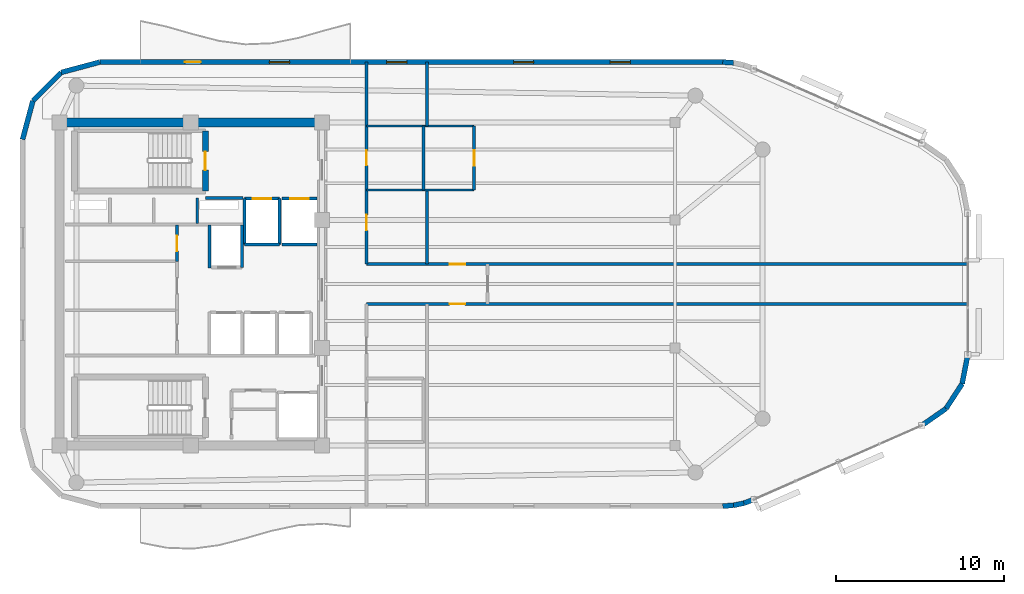
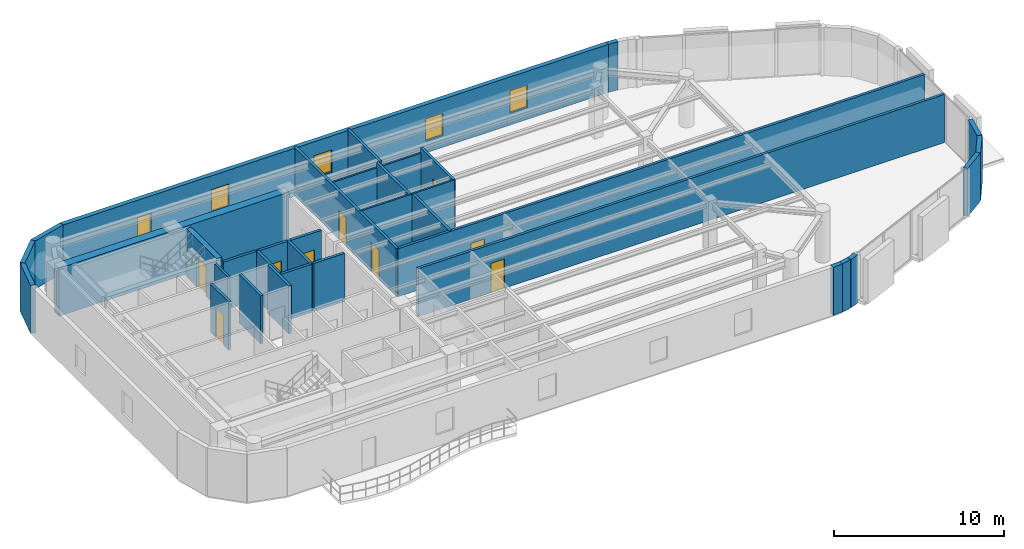
# One storey, part 9 of 12: 33 walls, 10 doors, 4 windows, 14 openings.
"""IFC4 building model written with IfcOpenShell, lengths in metres."""

import ifcopenshell
import ifcopenshell.guid

model = None  # the IFC model being written
_history = None  # IfcOwnerHistory: only IFC2X3 demands one
_inside = {}  # id of a spatial element -> (the spatial element, [elements in it])
_under = {}  # id of a project, library or spatial element -> (it, [spatial elements below it])
_declared = {}  # id of a project -> (the project, [libraries it declares])
_typed = {}  # id of a type object -> (the type object, [elements of that type])
_made_of = {}  # id of a material, layer set ... -> (it, [elements and type objects made of it])


def new_model(schema):
    """Start an empty IFC model of exactly this schema.

    Asked for "IFC4X3", IfcOpenShell would pick the latest addendum, in which some entities
    have other attributes; the version numbers below select the first issue.
    IFC2X3 requires an IfcOwnerHistory on every rooted entity: one is made here for all.
    """
    global model, _history
    if schema == "IFC4X3":
        model = ifcopenshell.file(schema_version=(4, 3, 0, 0))
    else:
        model = ifcopenshell.file(schema=schema)
    _inside.clear()
    _under.clear()
    _declared.clear()
    _typed.clear()
    _made_of.clear()
    _history = None
    if model.schema == "IFC2X3":
        org = make("IfcOrganization", Name="unknown")
        user = make(
            "IfcPersonAndOrganization",
            ThePerson=make("IfcPerson", FamilyName="unknown"),
            TheOrganization=org,
        )
        app = make(
            "IfcApplication",
            ApplicationDeveloper=org,
            Version="unknown",
            ApplicationFullName="unknown",
            ApplicationIdentifier="unknown",
        )
        _history = make(
            "IfcOwnerHistory",
            OwningUser=user,
            OwningApplication=app,
            ChangeAction="ADDED",
            CreationDate=0,
        )
    return model


def make(cls, **values):
    """One entity of the class cls with the attributes given. An attribute that is None is left unset."""
    return model.create_entity(
        cls, **{name: value for name, value in values.items() if value is not None}
    )


def rooted(cls, **values):
    """An entity with a GlobalId (a new one), such as an element, a storey or a relation."""
    return make(cls, GlobalId=ifcopenshell.guid.new(), OwnerHistory=_history, **values)


def si_unit(unit_type, name, prefix=None):
    """IfcSIUnit, for example si_unit("LENGTHUNIT", "METRE", prefix="MILLI")."""
    return make("IfcSIUnit", UnitType=unit_type, Prefix=prefix, Name=name)


def assignment(units):
    """IfcUnitAssignment: the units of a project."""
    return None if units is None else make("IfcUnitAssignment", Units=units)


def point(xyz):
    """IfcCartesianPoint."""
    return None if xyz is None else make("IfcCartesianPoint", Coordinates=xyz)


def direction(xyz):
    """IfcDirection."""
    return None if xyz is None else make("IfcDirection", DirectionRatios=xyz)


def frame(location, z_axis=None, x_axis=None):
    """IfcAxis2Placement3D, a coordinate frame: its origin and axes. An axis left out is left unset."""
    return make(
        "IfcAxis2Placement3D",
        Location=point(location),
        Axis=direction(z_axis),
        RefDirection=direction(x_axis),
    )


def frame_2d(location, x_axis=None):
    """IfcAxis2Placement2D, a coordinate frame in the plane: its origin and x axis."""
    return make(
        "IfcAxis2Placement2D", Location=point(location), RefDirection=direction(x_axis)
    )


def origin():
    """The frame at (0, 0, 0) with its axes left unset."""
    return frame((0.0, 0.0, 0.0))


def place(relative_to, where):
    """IfcLocalPlacement: puts the frame where relative to a parent placement (None: the world)."""
    return make(
        "IfcLocalPlacement", PlacementRelTo=relative_to, RelativePlacement=where
    )


def context(
    kind, dimensions, precision=None, world=None, true_north=None, identifier=None
):
    """IfcGeometricRepresentationContext, for example the 3D "Model" context."""
    return make(
        "IfcGeometricRepresentationContext",
        ContextIdentifier=identifier,
        ContextType=kind,
        CoordinateSpaceDimension=dimensions,
        Precision=precision,
        WorldCoordinateSystem=world,
        TrueNorth=true_north,
    )


def subcontext(parent, identifier, kind, view, scale=None):
    """IfcGeometricRepresentationSubContext, for example "Body" below "Model"."""
    return make(
        "IfcGeometricRepresentationSubContext",
        ContextIdentifier=identifier,
        ContextType=kind,
        ParentContext=parent,
        TargetScale=scale,
        TargetView=view,
    )


def project(units=None, contexts=None):
    """IfcProject with its units and contexts."""
    return rooted(
        "IfcProject",
        Name="project",
        RepresentationContexts=contexts,
        UnitsInContext=assignment(units),
    )


def spatial(cls, under=None, at=None, **own):
    """A site, building, storey or space (cls), placed at a placement, below another one or the project."""
    s = rooted(cls, ObjectPlacement=at, **own)
    if under is not None:
        _under.setdefault(under.id(), (under, []))[1].append(s)
    return s


def profile(cls, at=None, kind="AREA", **sizes):
    """A parametric profile (cls). Its sizes go by their IFC names, for example OverallWidth=200.0."""
    return make(cls, ProfileType=kind, Position=at, **sizes)


def rectangle(**sizes):
    """IfcRectangleProfileDef."""
    return profile("IfcRectangleProfileDef", **sizes)


def extrude(swept, where, along, depth):
    """IfcExtrudedAreaSolid: the profile swept, set in the frame where, extruded along a direction by depth."""
    return make(
        "IfcExtrudedAreaSolid",
        SweptArea=swept,
        Position=where,
        ExtrudedDirection=direction(along),
        Depth=depth,
    )


def shape(context_of_items, identifier, shape_type, items):
    """IfcShapeRepresentation: the items that make up one representation, for example the "Body"."""
    return make(
        "IfcShapeRepresentation",
        ContextOfItems=context_of_items,
        RepresentationIdentifier=identifier,
        RepresentationType=shape_type,
        Items=items,
    )


def material(Name=None, Category=None):
    """IfcMaterial."""
    return make("IfcMaterial", Name=Name, Category=Category)


def layer(
    of_material, thickness, ventilated=None, Name=None, Category=None, Priority=None
):
    """IfcMaterialLayer: one layer of a wall or slab, of a material (None: an air gap)."""
    return make(
        "IfcMaterialLayer",
        Material=of_material,
        LayerThickness=thickness,
        IsVentilated=ventilated,
        Name=Name,
        Category=Category,
        Priority=Priority,
    )


def layer_set(layers, Name=None):
    """IfcMaterialLayerSet."""
    return make("IfcMaterialLayerSet", MaterialLayers=layers, LayerSetName=Name)


def made_of(thing, what):
    """Note that an element or type object is made of a material, layer set ...; save() writes the relation."""
    if what is not None:
        _made_of.setdefault(what.id(), (what, []))[1].append(thing)
    return thing


def type_object(cls, material=None, **own):
    """A type object (cls), such as IfcWallType, which elements share."""
    return made_of(rooted(cls, **own), material)


def element(
    cls,
    number,
    at=None,
    inside=None,
    cuts=None,
    type_object=None,
    material=None,
    context=None,
    identifier="Body",
    shape_type=None,
    held_by="IfcProductDefinitionShape",
    body=None,
    shapes=None,
    **own,
):
    """One element of the class cls, such as IfcWall. Its Tag is "e" and its number.

    at: its placement. inside: the storey or other place that contains it. cuts: it is an
    opening in that element (IfcRelVoidsElement). A single representation is given by context,
    identifier, shape_type and body (its items); several are given by shapes. held_by: the class
    of the entity that holds the representations. save() writes the other relations.
    """
    e = rooted(cls, Tag="e%d" % number, ObjectPlacement=at, **own)
    if body is not None:
        shapes = [shape(context, identifier, shape_type, body)]
    if shapes is not None:
        e.Representation = make(held_by, Representations=shapes)
    if inside is not None:
        _inside.setdefault(inside.id(), (inside, []))[1].append(e)
    if cuts is not None:
        rooted(
            "IfcRelVoidsElement", RelatingBuildingElement=cuts, RelatedOpeningElement=e
        )
    if type_object is not None:
        _typed.setdefault(type_object.id(), (type_object, []))[1].append(e)
    return made_of(e, material)


def fill(opening, filler):
    """IfcRelFillsElement: the door or window that sits in an opening."""
    return rooted(
        "IfcRelFillsElement",
        RelatingOpeningElement=opening,
        RelatedBuildingElement=filler,
    )


def aggregate(whole, parts):
    """IfcRelAggregates: a whole, such as a stair, and the parts it consists of."""
    return rooted("IfcRelAggregates", RelatingObject=whole, RelatedObjects=parts)


def save(model, path):
    """Write the relations noted so far, then the file.

    IfcRelAggregates (storeys below a building ...), IfcRelContainedInSpatialStructure (elements
    in a storey), IfcRelDefinesByType, IfcRelAssociatesMaterial and IfcRelDeclares: one each for
    every whole, place, type object, material and project.
    """
    for whole, parts in _under.values():
        aggregate(whole, parts)
    for where, things in _inside.values():
        rooted(
            "IfcRelContainedInSpatialStructure",
            RelatedElements=things,
            RelatingStructure=where,
        )
    for kind, things in _typed.values():
        rooted("IfcRelDefinesByType", RelatedObjects=things, RelatingType=kind)
    for what, things in _made_of.values():
        rooted("IfcRelAssociatesMaterial", RelatedObjects=things, RelatingMaterial=what)
    for by, libraries in _declared.values():
        rooted("IfcRelDeclares", RelatingContext=by, RelatedDefinitions=libraries)
    model.write(path)


model = new_model("IFC4")

# Units and contexts
model_context = context("Model", 3, precision=1e-05, world=origin(), true_north=direction((0.0, 1.0)))
body_context = subcontext(model_context, "Body", "Model", "MODEL_VIEW")
ifc_project = project(units=[si_unit("LENGTHUNIT", "METRE"), si_unit("AREAUNIT", "SQUARE_METRE"), si_unit("VOLUMEUNIT", "CUBIC_METRE"), si_unit("PLANEANGLEUNIT", "RADIAN"), si_unit("MASSUNIT", "GRAM", prefix="KILO")], contexts=[model_context])

# Site, building, storey
site_placement = place(None, origin())
site = spatial("IfcSite", under=ifc_project, at=site_placement, CompositionType="ELEMENT")
building_placement = place(site_placement, origin())
building = spatial("IfcBuilding", under=site, at=building_placement, Name="An Khanh Terracotta Commons", CompositionType="ELEMENT")
storey_placement = place(building_placement, frame((0.0, 0.0, 269.75)))
storey = spatial("IfcBuildingStorey", under=building, at=storey_placement, Name="L70", CompositionType="ELEMENT", Elevation=269.75)

# Walls
ifc_material_1 = material(Name="Concrete C50/60", Category="concrete")
ifc_layer_1 = layer(ifc_material_1, 0.550048828125, Name="Concrete C50/60")
ifc_layer_set_1 = layer_set([ifc_layer_1], Name="Concrete C50/60")
wall_type_1 = type_object("IfcWallType", Name="WALL-CORE-550", PredefinedType="SHEAR", material=ifc_layer_set_1)
wall_1_placement = place(storey_placement, frame((21.60009765625, 33.60009765625, 0.0), z_axis=(0.0, 0.0, 1.0), x_axis=(1.0, 0.0, 0.0)))
element("IfcWall", 1, at=wall_1_placement, inside=storey, type_object=wall_type_1, Name="L70 Core Wall CWALL-L70-N", PredefinedType="SHEAR", context=body_context, shape_type="SweptSolid", body=[
    extrude(rectangle(XDim=15.599853515625, YDim=0.550048828125, at=frame_2d((7.7998046875, 0.0))), origin(), (0.0, 0.0, 1.0), 3.449951171875),
])
ifc_material_2 = material(Name="Fire-Rated Gypsum Board on Steel Stud", Category="steel")
ifc_layer_2 = layer(ifc_material_2, 0.179931640625, Name="Fire-Rated Gypsum Board on Steel Stud")
ifc_layer_set_2 = layer_set([ifc_layer_2], Name="Fire-Rated Gypsum Board on Steel Stud")
wall_type_2 = type_object("IfcWallType", Name="WALL-CORR-180", PredefinedType="PARTITIONING", material=ifc_layer_set_2)
wall_2_placement = place(storey_placement, frame((30.27001953125, 29.1201171875, 0.0), z_axis=(0.0, 0.0, 1.0), x_axis=(1.0, 0.0, 0.0)))
element("IfcWall", 2, at=wall_2_placement, inside=storey, type_object=wall_type_2, Name="L70 Core Wall FFLW-L70-S", PredefinedType="PARTITIONING", context=body_context, shape_type="SweptSolid", body=[
    extrude(rectangle(XDim=2.239990234375, YDim=0.179931640625, at=frame_2d((1.1201171875, 0.0))), origin(), (0.0, 0.0, 1.0), 3.449951171875),
])

# Wall, opening, door
wall_3_placement = place(storey_placement, frame((32.60009765625, 29.080078125, 0.0), z_axis=(0.0, 0.0, 1.0), x_axis=(1.0, 0.0, 0.0)))
wall_3 = element("IfcWall", 3, at=wall_3_placement, inside=storey, type_object=wall_type_2, Name="L70 Core Wall LSH-L70-FFL-01-N", PredefinedType="PARTITIONING", context=body_context, shape_type="SweptSolid", body=[
    extrude(rectangle(XDim=2.079833984375, YDim=0.179931640625, at=frame_2d((1.0400390625, 0.0))), origin(), (0.0, 0.0, 1.0), 3.449951171875),
])
opening_1_placement = place(wall_3_placement, frame((0.489990234375, 0.0, 0.0)))
opening_1 = element("IfcOpeningElement", 4, at=opening_1_placement, cuts=wall_3, Name="Opening LD-FFL-01-L70", PredefinedType="OPENING", context=body_context, shape_type="SweptSolid", body=[
    extrude(rectangle(XDim=1.10009765625, YDim=2.199951171875, at=frame_2d((0.550048828125, 1.10009765625))), frame((0.0, 0.099853515625, 0.0), z_axis=(0.0, -1.0, 0.0), x_axis=(1.0, 0.0, 0.0)), (0.0, 0.0, 1.0), 0.199951171875),
])
ifc_material_3 = material(Name="Brushed Stainless Steel Fire Landing Door", Category="steel")
door_type_1 = type_object("IfcDoorType", Name="DOOR-LD-FFL-1100", OperationType="NOTDEFINED", PredefinedType="DOOR", material=ifc_material_3)
door_1_placement = place(opening_1_placement, origin())
door_1 = element("IfcDoor", 5, at=door_1_placement, inside=storey, type_object=door_type_1, Name="L70 Lift FFL-01 Sliding Landing Door", OperationType="DOUBLE_DOOR_SLIDING", OverallHeight=2.199951171875, OverallWidth=1.10009765625, PredefinedType="DOOR", context=body_context, shape_type="SweptSolid", body=[
    extrude(rectangle(XDim=1.10009765625, YDim=2.199951171875, at=frame_2d((0.550048828125, 1.10009765625))), frame((0.0, 0.02490234375, 0.0), z_axis=(0.0, -1.0, 0.0), x_axis=(1.0, 0.0, 0.0)), (0.0, 0.0, 1.0), 0.050048828125),
])
fill(opening_1, door_1)

# Walls
wall_4_placement = place(storey_placement, frame((34.679931640625, 26.35009765625, 0.0), z_axis=(0.0, 0.0, 1.0), x_axis=(-1.0, 0.0, 0.0)))
element("IfcWall", 6, at=wall_4_placement, inside=storey, type_object=wall_type_2, Name="L70 Core Wall LSH-L70-FFL-01-S", PredefinedType="PARTITIONING", context=body_context, shape_type="SweptSolid", body=[
    extrude(rectangle(XDim=2.079833984375, YDim=0.179931640625, at=frame_2d((1.0400390625, 0.0))), origin(), (0.0, 0.0, 1.0), 3.449951171875),
])
for number, where, z_axis, x_axis, name in (
    (7, (34.679931640625, 26.35009765625, 0.0), (0.0, 0.0, 1.0), (0.0, 1.0, 0.0), "L70 Core Wall LSH-L70-FFL-01-E"),
    (8, (32.60009765625, 29.080078125, 0.0), (0.0, 0.0, 1.0), (0.0, -1.0, 0.0), "L70 Core Wall LSH-L70-FFL-01-W"),
):
    element("IfcWall", number, at=place(storey_placement, frame(where, z_axis=z_axis, x_axis=x_axis)), inside=storey, type_object=wall_type_2, Name=name, PredefinedType="PARTITIONING", context=body_context, shape_type="SweptSolid", body=[
        extrude(rectangle(XDim=2.72998046875, YDim=0.179931640625, at=frame_2d((1.364990234375, 0.0))), origin(), (0.0, 0.0, 1.0), 3.449951171875),
    ])

# Wall, opening, door
wall_5_placement = place(storey_placement, frame((34.820068359375, 29.080078125, 0.0), z_axis=(0.0, 0.0, 1.0), x_axis=(1.0, 0.0, 0.0)))
wall_5 = element("IfcWall", 9, at=wall_5_placement, inside=storey, type_object=wall_type_2, Name="L70 Core Wall LSH-L70-FFL-02-N", PredefinedType="PARTITIONING", context=body_context, shape_type="SweptSolid", body=[
    extrude(rectangle(XDim=2.079833984375, YDim=0.179931640625, at=frame_2d((1.0400390625, 0.0))), origin(), (0.0, 0.0, 1.0), 3.449951171875),
])
opening_2_placement = place(wall_5_placement, frame((0.489990234375, 0.0, 0.0)))
opening_2 = element("IfcOpeningElement", 10, at=opening_2_placement, cuts=wall_5, Name="Opening LD-FFL-02-L70", PredefinedType="OPENING", context=body_context, shape_type="SweptSolid", body=[
    extrude(rectangle(XDim=1.10009765625, YDim=2.199951171875, at=frame_2d((0.550048828125, 1.10009765625))), frame((0.0, 0.099853515625, 0.0), z_axis=(0.0, -1.0, 0.0), x_axis=(1.0, 0.0, 0.0)), (0.0, 0.0, 1.0), 0.199951171875),
])
door_2_placement = place(opening_2_placement, origin())
door_2 = element("IfcDoor", 11, at=door_2_placement, inside=storey, type_object=door_type_1, Name="L70 Lift FFL-02 Sliding Landing Door", OperationType="DOUBLE_DOOR_SLIDING", OverallHeight=2.199951171875, OverallWidth=1.10009765625, PredefinedType="DOOR", context=body_context, shape_type="SweptSolid", body=[
    extrude(rectangle(XDim=1.10009765625, YDim=2.199951171875, at=frame_2d((0.550048828125, 1.10009765625))), frame((0.0, 0.02490234375, 0.0), z_axis=(0.0, -1.0, 0.0), x_axis=(1.0, 0.0, 0.0)), (0.0, 0.0, 1.0), 0.050048828125),
])
fill(opening_2, door_2)

# Walls
wall_6_placement = place(storey_placement, frame((36.89990234375, 26.35009765625, 0.0), z_axis=(0.0, 0.0, 1.0), x_axis=(-1.0, 0.0, 0.0)))
element("IfcWall", 12, at=wall_6_placement, inside=storey, type_object=wall_type_2, Name="L70 Core Wall LSH-L70-FFL-02-S", PredefinedType="PARTITIONING", context=body_context, shape_type="SweptSolid", body=[
    extrude(rectangle(XDim=2.079833984375, YDim=0.179931640625, at=frame_2d((1.0400390625, 0.0))), origin(), (0.0, 0.0, 1.0), 3.449951171875),
])
wall_7_placement = place(storey_placement, frame((32.4599609375, 25.0, 0.0), z_axis=(0.0, 0.0, 1.0), x_axis=(0.0, 1.0, 0.0)))
element("IfcWall", 13, at=wall_7_placement, inside=storey, type_object=wall_type_2, Name="L70 Core Wall LSH-L70-PL-H1-E", PredefinedType="PARTITIONING", context=body_context, shape_type="SweptSolid", body=[
    extrude(rectangle(XDim=2.5, YDim=0.179931640625, at=frame_2d((1.25, 0.0))), origin(), (0.0, 0.0, 1.0), 3.449951171875),
])
wall_8_placement = place(storey_placement, frame((30.52001953125, 24.949951171875, 0.0), z_axis=(0.0, 0.0, 1.0), x_axis=(0.0, 1.0, 0.0)))
element("IfcWall", 14, at=wall_8_placement, inside=storey, type_object=wall_type_2, Name="L70 Core Wall RECW-L70-BE1", PredefinedType="PARTITIONING", context=body_context, shape_type="SweptSolid", body=[
    extrude(rectangle(XDim=2.550048828125, YDim=0.179931640625, at=frame_2d((1.27490234375, 0.0))), origin(), (0.0, 0.0, 1.0), 3.449951171875),
])

# Wall, opening, door
wall_9_placement = place(storey_placement, frame((28.580078125, 25.35009765625, 0.0), z_axis=(0.0, 0.0, 1.0), x_axis=(0.0, 1.0, 0.0)))
wall_9 = element("IfcWall", 15, at=wall_9_placement, inside=storey, type_object=wall_type_2, Name="L70 Core Wall RECW-L70-E1", PredefinedType="PARTITIONING", context=body_context, shape_type="SweptSolid", body=[
    extrude(rectangle(XDim=2.14990234375, YDim=0.179931640625, at=frame_2d((1.074951171875, 0.0))), origin(), (0.0, 0.0, 1.0), 3.449951171875),
])
opening_3_placement = place(wall_9_placement, frame((0.614990234375, 0.0, 0.0)))
opening_3 = element("IfcOpeningElement", 16, at=opening_3_placement, cuts=wall_9, Name="Opening D-RM", PredefinedType="OPENING", context=body_context, shape_type="SweptSolid", body=[
    extrude(rectangle(XDim=0.919921875, YDim=2.10009765625, at=frame_2d((0.4599609375, 1.050048828125))), frame((0.0, 0.099853515625, 0.0), z_axis=(0.0, -1.0, 0.0), x_axis=(1.0, 0.0, 0.0)), (0.0, 0.0, 1.0), 0.199951171875),
])
ifc_material_4 = material(Name="Engineered Hardwood Timber Leaf", Category="wood")
door_type_2 = type_object("IfcDoorType", Name="DOOR-INT-920", OperationType="NOTDEFINED", PredefinedType="DOOR", material=ifc_material_4)
door_3_placement = place(opening_3_placement, origin())
door_3 = element("IfcDoor", 17, at=door_3_placement, inside=storey, type_object=door_type_2, Name="L70 Quiet Focus Pod Door", OperationType="SINGLE_SWING_LEFT", OverallHeight=2.10009765625, OverallWidth=0.919921875, PredefinedType="DOOR", context=body_context, shape_type="SweptSolid", body=[
    extrude(rectangle(XDim=0.919921875, YDim=2.10009765625, at=frame_2d((0.4599609375, 1.050048828125))), frame((0.0, 0.02490234375, 0.0), z_axis=(0.0, -1.0, 0.0), x_axis=(1.0, 0.0, 0.0)), (0.0, 0.0, 1.0), 0.050048828125),
])
fill(opening_3, door_3)

wall_10_placement = place(storey_placement, frame((39.85009765625, 22.820068359375, 0.0), z_axis=(0.0, 0.0, 1.0), x_axis=(1.0, 0.0, 0.0)))
wall_10 = element("IfcWall", 18, at=wall_10_placement, inside=storey, type_object=wall_type_2, Name="L70 Interior Partition IW-L70-E003", PredefinedType="PARTITIONING", context=body_context, shape_type="SweptSolid", body=[
    extrude(rectangle(XDim=35.75, YDim=0.179931640625, at=frame_2d((17.875, 0.0))), origin(), (0.0, 0.0, 1.0), 3.449951171875),
])
opening_4_placement = place(wall_10_placement, frame((4.93994140625, 0.0, 0.0)))
opening_4 = element("IfcOpeningElement", 19, at=opening_4_placement, cuts=wall_10, Name="Opening D-RM", PredefinedType="OPENING", context=body_context, shape_type="SweptSolid", body=[
    extrude(rectangle(XDim=0.919921875, YDim=2.10009765625, at=frame_2d((0.4599609375, 1.050048828125))), frame((0.0, 0.099853515625, 0.0), z_axis=(0.0, -1.0, 0.0), x_axis=(1.0, 0.0, 0.0)), (0.0, 0.0, 1.0), 0.199951171875),
])
door_4_placement = place(opening_4_placement, origin())
door_4 = element("IfcDoor", 20, at=door_4_placement, inside=storey, type_object=door_type_2, Name="L70 T5SE Yoga Wellness Room Door", OperationType="SINGLE_SWING_RIGHT", OverallHeight=2.10009765625, OverallWidth=0.919921875, PredefinedType="DOOR", context=body_context, shape_type="SweptSolid", body=[
    extrude(rectangle(XDim=0.919921875, YDim=2.10009765625, at=frame_2d((0.4599609375, 1.050048828125))), frame((0.0, 0.02490234375, 0.0), z_axis=(0.0, -1.0, 0.0), x_axis=(1.0, 0.0, 0.0)), (0.0, 0.0, 1.0), 0.050048828125),
])
fill(opening_4, door_4)

wall_11_placement = place(storey_placement, frame((39.85009765625, 25.179931640625, 0.0), z_axis=(0.0, 0.0, 1.0), x_axis=(1.0, 0.0, 0.0)))
wall_11 = element("IfcWall", 21, at=wall_11_placement, inside=storey, type_object=wall_type_2, Name="L70 Interior Partition IW-L70-E004", PredefinedType="PARTITIONING", context=body_context, shape_type="SweptSolid", body=[
    extrude(rectangle(XDim=35.75, YDim=0.179931640625, at=frame_2d((17.875, 0.0))), origin(), (0.0, 0.0, 1.0), 3.449951171875),
])
opening_5_placement = place(wall_11_placement, frame((4.93994140625, 0.0, 0.0)))
opening_5 = element("IfcOpeningElement", 22, at=opening_5_placement, cuts=wall_11, Name="Opening D-RM", PredefinedType="OPENING", context=body_context, shape_type="SweptSolid", body=[
    extrude(rectangle(XDim=0.919921875, YDim=2.10009765625, at=frame_2d((0.4599609375, 1.050048828125))), frame((0.0, 0.099853515625, 0.0), z_axis=(0.0, -1.0, 0.0), x_axis=(1.0, 0.0, 0.0)), (0.0, 0.0, 1.0), 0.199951171875),
])
door_5_placement = place(opening_5_placement, origin())
door_5 = element("IfcDoor", 23, at=door_5_placement, inside=storey, type_object=door_type_2, Name="L70 T5NE Collaborative Study Lounge Door", OperationType="SINGLE_SWING_RIGHT", OverallHeight=2.10009765625, OverallWidth=0.919921875, PredefinedType="DOOR", context=body_context, shape_type="SweptSolid", body=[
    extrude(rectangle(XDim=0.919921875, YDim=2.10009765625, at=frame_2d((0.4599609375, 1.050048828125))), frame((0.0, 0.02490234375, 0.0), z_axis=(0.0, -1.0, 0.0), x_axis=(1.0, 0.0, 0.0)), (0.0, 0.0, 1.0), 0.050048828125),
])
fill(opening_5, door_5)

# Wall, openings, doors
wall_12_placement = place(storey_placement, frame((39.85009765625, 25.179931640625, 0.0), z_axis=(0.0, 0.0, 1.0), x_axis=(0.0, 1.0, 0.0)))
wall_12 = element("IfcWall", 24, at=wall_12_placement, inside=storey, type_object=wall_type_2, Name="L70 Interior Partition IW-L70-E008", PredefinedType="PARTITIONING", context=body_context, shape_type="SweptSolid", body=[
    extrude(rectangle(XDim=12.02001953125, YDim=0.179931640625, at=frame_2d((6.010009765625, 0.0))), origin(), (0.0, 0.0, 1.0), 3.449951171875),
])
opening_6_placement = place(wall_12_placement, frame((5.8701171875, 0.0, 0.0)))
opening_6 = element("IfcOpeningElement", 25, at=opening_6_placement, cuts=wall_12, Name="Opening D-WC", PredefinedType="OPENING", context=body_context, shape_type="SweptSolid", body=[
    extrude(rectangle(XDim=0.89990234375, YDim=2.10009765625, at=frame_2d((0.449951171875, 1.050048828125))), frame((0.0, 0.099853515625, 0.0), z_axis=(0.0, -1.0, 0.0), x_axis=(1.0, 0.0, 0.0)), (0.0, 0.0, 1.0), 0.199951171875),
])
opening_7_placement = place(wall_12_placement, frame((2.010009765625, 0.0, 0.0)))
opening_7 = element("IfcOpeningElement", 26, at=opening_7_placement, cuts=wall_12, Name="Opening D-RM", PredefinedType="OPENING", context=body_context, shape_type="SweptSolid", body=[
    extrude(rectangle(XDim=0.919921875, YDim=2.10009765625, at=frame_2d((0.4599609375, 1.050048828125))), frame((0.0, 0.099853515625, 0.0), z_axis=(0.0, -1.0, 0.0), x_axis=(1.0, 0.0, 0.0)), (0.0, 0.0, 1.0), 0.199951171875),
])
door_6_placement = place(opening_7_placement, origin())
door_6 = element("IfcDoor", 27, at=door_6_placement, inside=storey, type_object=door_type_2, Name="L70 T5NW Quiet Study Office Door", OperationType="SINGLE_SWING_RIGHT", OverallHeight=2.10009765625, OverallWidth=0.919921875, PredefinedType="DOOR", context=body_context, shape_type="SweptSolid", body=[
    extrude(rectangle(XDim=0.919921875, YDim=2.10009765625, at=frame_2d((0.4599609375, 1.050048828125))), frame((0.0, 0.02490234375, 0.0), z_axis=(0.0, -1.0, 0.0), x_axis=(1.0, 0.0, 0.0)), (0.0, 0.0, 1.0), 0.050048828125),
])
fill(opening_7, door_6)
ifc_material_5 = material(Name="Laminate Moisture-Resistant Timber Leaf", Category="wood")
door_type_3 = type_object("IfcDoorType", Name="DOOR-WC-900", OperationType="NOTDEFINED", PredefinedType="DOOR", material=ifc_material_5)
door_7_placement = place(opening_6_placement, origin())
door_7 = element("IfcDoor", 28, at=door_7_placement, inside=storey, type_object=door_type_3, Name="L70 AWC Accessible WC Door", OperationType="SINGLE_SWING_RIGHT", OverallHeight=2.10009765625, OverallWidth=0.89990234375, PredefinedType="DOOR", context=body_context, shape_type="SweptSolid", body=[
    extrude(rectangle(XDim=0.89990234375, YDim=2.10009765625, at=frame_2d((0.449951171875, 1.050048828125))), frame((0.0, 0.02490234375, 0.0), z_axis=(0.0, -1.0, 0.0), x_axis=(1.0, 0.0, 0.0)), (0.0, 0.0, 1.0), 0.050048828125),
])
fill(opening_6, door_7)

# Walls
wall_13_placement = place(storey_placement, frame((43.25, 29.60009765625, 0.0), z_axis=(0.0, 0.0, 1.0), x_axis=(0.0, 1.0, 0.0)))
element("IfcWall", 29, at=wall_13_placement, inside=storey, type_object=wall_type_2, Name="L70 Interior Partition IW-L70-E010", PredefinedType="PARTITIONING", context=body_context, shape_type="SweptSolid", body=[
    extrude(rectangle(XDim=3.7998046875, YDim=0.179931640625, at=frame_2d((1.89990234375, 0.0))), origin(), (0.0, 0.0, 1.0), 3.449951171875),
])
wall_14_placement = place(storey_placement, frame((43.449951171875, 25.179931640625, 0.0), z_axis=(0.0, 0.0, 1.0), x_axis=(0.0, 1.0, 0.0)))
element("IfcWall", 30, at=wall_14_placement, inside=storey, type_object=wall_type_2, Name="L70 Interior Partition IW-L70-E012", PredefinedType="PARTITIONING", context=body_context, shape_type="SweptSolid", body=[
    extrude(rectangle(XDim=4.420166015625, YDim=0.179931640625, at=frame_2d((2.2099609375, 0.0))), origin(), (0.0, 0.0, 1.0), 3.449951171875),
])
wall_15_placement = place(storey_placement, frame((43.449951171875, 33.39990234375, 0.0), z_axis=(0.0, 0.0, 1.0), x_axis=(0.0, 1.0, 0.0)))
element("IfcWall", 31, at=wall_15_placement, inside=storey, type_object=wall_type_2, Name="L70 Interior Partition IW-L70-E013", PredefinedType="PARTITIONING", context=body_context, shape_type="SweptSolid", body=[
    extrude(rectangle(XDim=3.800048828125, YDim=0.179931640625, at=frame_2d((1.89990234375, 0.0))), origin(), (0.0, 0.0, 1.0), 3.449951171875),
])

# Wall, opening, door
wall_16_placement = place(storey_placement, frame((46.25, 29.60009765625, 0.0), z_axis=(0.0, 0.0, 1.0), x_axis=(0.0, 1.0, 0.0)))
wall_16 = element("IfcWall", 32, at=wall_16_placement, inside=storey, type_object=wall_type_2, Name="L70 Interior Partition IW-L70-E014", PredefinedType="PARTITIONING", context=body_context, shape_type="SweptSolid", body=[
    extrude(rectangle(XDim=3.7998046875, YDim=0.179931640625, at=frame_2d((1.89990234375, 0.0))), origin(), (0.0, 0.0, 1.0), 3.449951171875),
])
opening_8_placement = place(wall_16_placement, frame((1.43994140625, 0.0, 0.0)))
opening_8 = element("IfcOpeningElement", 33, at=opening_8_placement, cuts=wall_16, Name="Opening D-RM", PredefinedType="OPENING", context=body_context, shape_type="SweptSolid", body=[
    extrude(rectangle(XDim=0.919921875, YDim=2.10009765625, at=frame_2d((0.4599609375, 1.050048828125))), frame((0.0, 0.099853515625, 0.0), z_axis=(0.0, -1.0, 0.0), x_axis=(1.0, 0.0, 0.0)), (0.0, 0.0, 1.0), 0.199951171875),
])
door_8_placement = place(opening_8_placement, origin())
door_8 = element("IfcDoor", 34, at=door_8_placement, inside=storey, type_object=door_type_2, Name="L70 HKP Housekeeping Linen Store Door", OperationType="SINGLE_SWING_LEFT", OverallHeight=2.10009765625, OverallWidth=0.919921875, PredefinedType="DOOR", context=body_context, shape_type="SweptSolid", body=[
    extrude(rectangle(XDim=0.919921875, YDim=2.10009765625, at=frame_2d((0.4599609375, 1.050048828125))), frame((0.0, 0.02490234375, 0.0), z_axis=(0.0, -1.0, 0.0), x_axis=(1.0, 0.0, 0.0)), (0.0, 0.0, 1.0), 0.050048828125),
])
fill(opening_8, door_8)

# Walls
ifc_material_6 = material(Name="Precast concrete C40/50", Category="concrete")
ifc_layer_3 = layer(ifc_material_6, 0.300048828125, Name="Precast concrete C40/50")
ifc_layer_set_3 = layer_set([ifc_layer_3], Name="Precast concrete C40/50")
wall_type_3 = type_object("IfcWallType", Name="WALL-EXT-300", PredefinedType="SOLIDWALL", material=ifc_layer_set_3)
wall_17_placement = place(storey_placement, frame((61.030029296875, 10.800048828125, 0.0), z_axis=(0.0, 0.0, 1.0), x_axis=(0.997613959688, 0.069039028352, 0.0)))
element("IfcWall", 35, at=wall_17_placement, inside=storey, type_object=wall_type_3, Name="L70 Insulated Terracotta Exterior Wall 5", PredefinedType="SOLIDWALL", context=body_context, shape_type="SweptSolid", body=[
    extrude(rectangle(XDim=0.636474609375, YDim=0.300048828125, at=frame_2d((0.318359375, 0.0))), origin(), (0.0, 0.0, 1.0), 3.449951171875),
])
wall_18_placement = place(storey_placement, frame((61.6650390625, 10.843994140625, 0.0), z_axis=(0.0, 0.0, 1.0), x_axis=(0.97857012251, 0.205913854149, 0.0)))
element("IfcWall", 36, at=wall_18_placement, inside=storey, type_object=wall_type_3, Name="L70 Insulated Terracotta Exterior Wall 6", PredefinedType="SOLIDWALL", context=body_context, shape_type="SweptSolid", body=[
    extrude(rectangle(XDim=0.63671875, YDim=0.300048828125, at=frame_2d((0.318359375, 0.0))), origin(), (0.0, 0.0, 1.0), 3.449951171875),
])
wall_19_placement = place(storey_placement, frame((62.2880859375, 10.97509765625, 0.0), z_axis=(0.0, 0.0, 1.0), x_axis=(0.94077491148, 0.339031806665, 0.0)))
element("IfcWall", 37, at=wall_19_placement, inside=storey, type_object=wall_type_3, Name="L70 Insulated Terracotta Exterior Wall 7", PredefinedType="SOLIDWALL", context=body_context, shape_type="SweptSolid", body=[
    extrude(rectangle(XDim=0.636474609375, YDim=0.300048828125, at=frame_2d((0.318359375, 0.0))), origin(), (0.0, 0.0, 1.0), 3.449951171875),
])
wall_20_placement = place(storey_placement, frame((72.85693359375, 15.590087890625, 0.0), z_axis=(0.0, 0.0, 1.0), x_axis=(0.821006966142, 0.570918174124, 0.0)))
element("IfcWall", 38, at=wall_20_placement, inside=storey, type_object=wall_type_3, Name="L70 Insulated Terracotta Exterior Wall 9", PredefinedType="SOLIDWALL", context=body_context, shape_type="SweptSolid", body=[
    extrude(rectangle(XDim=1.760009765625, YDim=0.300048828125, at=frame_2d((0.8798828125, 0.0))), origin(), (0.0, 0.0, 1.0), 3.449951171875),
])
for number, where, z_axis, x_axis, name in (
    (39, (74.302001953125, 16.594970703125, 0.0), (0.0, 0.0, 1.0), (0.545836224831, 0.837891887813, 0.0), "L70 Insulated Terracotta Exterior Wall 10"),
    (40, (75.262939453125, 18.070068359375, 0.0), (0.0, 0.0, 1.0), (0.1915005851, 0.981492499159, 0.0), "L70 Insulated Terracotta Exterior Wall 11"),
):
    element("IfcWall", number, at=place(storey_placement, frame(where, z_axis=z_axis, x_axis=x_axis)), inside=storey, type_object=wall_type_3, Name=name, PredefinedType="SOLIDWALL", context=body_context, shape_type="SweptSolid", body=[
        extrude(rectangle(XDim=1.760498046875, YDim=0.300048828125, at=frame_2d((0.88037109375, 0.0))), origin(), (0.0, 0.0, 1.0), 3.449951171875),
    ])
wall_21_placement = place(storey_placement, frame((61.6650390625, 37.156005859375, 0.0), z_axis=(0.0, 0.0, 1.0), x_axis=(-0.997613959688, 0.069039028352, 0.0)))
element("IfcWall", 41, at=wall_21_placement, inside=storey, type_object=wall_type_3, Name="L70 Insulated Terracotta Exterior Wall 19", PredefinedType="SOLIDWALL", context=body_context, shape_type="SweptSolid", body=[
    extrude(rectangle(XDim=0.636474609375, YDim=0.300048828125, at=frame_2d((0.318359375, 0.0))), origin(), (0.0, 0.0, 1.0), 3.449951171875),
])

# Wall, openings, door, windows
wall_22_placement = place(storey_placement, frame((61.030029296875, 37.199951171875, 0.0), z_axis=(0.0, 0.0, 1.0), x_axis=(-1.0, 0.0, 0.0)))
wall_22 = element("IfcWall", 42, at=wall_22_placement, inside=storey, type_object=wall_type_3, Name="L70 Insulated Terracotta Exterior Wall 20", PredefinedType="SOLIDWALL", context=body_context, shape_type="SweptSolid", body=[
    extrude(rectangle(XDim=37.030029296875, YDim=0.300048828125, at=frame_2d((18.51513671875, 0.0))), origin(), (0.0, 0.0, 1.0), 3.449951171875),
])
opening_9_placement = place(wall_22_placement, frame((31.030029296875, 0.0, 0.0)))
opening_9 = element("IfcOpeningElement", 43, at=opening_9_placement, cuts=wall_22, Name="Opening D-BAL", PredefinedType="OPENING", context=body_context, shape_type="SweptSolid", body=[
    extrude(rectangle(XDim=0.949951171875, YDim=2.199951171875, at=frame_2d((0.47509765625, 1.10009765625))), frame((0.0, 0.159912109375, 0.0), z_axis=(0.0, -1.0, 0.0), x_axis=(1.0, 0.0, 0.0)), (0.0, 0.0, 1.0), 0.320068359375),
])
opening_10_placement = place(wall_22_placement, frame((5.492919921875, 0.0, 0.85009765625)))
opening_10 = element("IfcOpeningElement", 44, at=opening_10_placement, cuts=wall_22, Name="Opening W-05", PredefinedType="OPENING", context=body_context, shape_type="SweptSolid", body=[
    extrude(rectangle(XDim=1.199951171875, YDim=1.60009765625, at=frame_2d((0.60009765625, 0.800048828125))), frame((0.0, 0.159912109375, 0.0), z_axis=(0.0, -1.0, 0.0), x_axis=(1.0, 0.0, 0.0)), (0.0, 0.0, 1.0), 0.320068359375),
])
opening_11_placement = place(wall_22_placement, frame((11.237060546875, 0.0, 0.85009765625)))
opening_11 = element("IfcOpeningElement", 45, at=opening_11_placement, cuts=wall_22, Name="Opening W-05", PredefinedType="OPENING", context=body_context, shape_type="SweptSolid", body=[
    extrude(rectangle(XDim=1.199951171875, YDim=1.60009765625, at=frame_2d((0.60009765625, 0.800048828125))), frame((0.0, 0.159912109375, 0.0), z_axis=(0.0, -1.0, 0.0), x_axis=(1.0, 0.0, 0.0)), (0.0, 0.0, 1.0), 0.320068359375),
])
opening_12_placement = place(wall_22_placement, frame((18.780029296875, 0.0, 0.85009765625)))
opening_12 = element("IfcOpeningElement", 46, at=opening_12_placement, cuts=wall_22, Name="Opening W-05", PredefinedType="OPENING", context=body_context, shape_type="SweptSolid", body=[
    extrude(rectangle(XDim=1.199951171875, YDim=1.60009765625, at=frame_2d((0.60009765625, 0.800048828125))), frame((0.0, 0.159912109375, 0.0), z_axis=(0.0, -1.0, 0.0), x_axis=(1.0, 0.0, 0.0)), (0.0, 0.0, 1.0), 0.320068359375),
])
opening_13_placement = place(wall_22_placement, frame((25.7470703125, 0.0, 0.85009765625)))
opening_13 = element("IfcOpeningElement", 47, at=opening_13_placement, cuts=wall_22, Name="Opening W-05", PredefinedType="OPENING", context=body_context, shape_type="SweptSolid", body=[
    extrude(rectangle(XDim=1.199951171875, YDim=1.60009765625, at=frame_2d((0.60009765625, 0.800048828125))), frame((0.0, 0.159912109375, 0.0), z_axis=(0.0, -1.0, 0.0), x_axis=(1.0, 0.0, 0.0)), (0.0, 0.0, 1.0), 0.320068359375),
])
ifc_material_7 = material(Name="Thermally Broken Aluminium and Low-E Glass", Category="aluminium")
door_type_4 = type_object("IfcDoorType", Name="DOOR-BALC-950", OperationType="NOTDEFINED", PredefinedType="DOOR", material=ifc_material_7)
door_9_placement = place(opening_9_placement, origin())
door_9 = element("IfcDoor", 48, at=door_9_placement, inside=storey, type_object=door_type_4, Name="L70 N Wave Balcony Glazed Door", OperationType="SINGLE_SWING_RIGHT", OverallHeight=2.199951171875, OverallWidth=0.949951171875, PredefinedType="DOOR", context=body_context, shape_type="SweptSolid", body=[
    extrude(rectangle(XDim=0.949951171875, YDim=2.199951171875, at=frame_2d((0.47509765625, 1.10009765625))), frame((0.0, 0.02490234375, 0.0), z_axis=(0.0, -1.0, 0.0), x_axis=(1.0, 0.0, 0.0)), (0.0, 0.0, 1.0), 0.050048828125),
])
fill(opening_9, door_9)
window_type = type_object("IfcWindowType", Name="WIN-Z5-1200x1600", PartitioningType="SINGLE_PANEL", PredefinedType="WINDOW", material=ifc_material_7)
window_1_placement = place(opening_10_placement, origin())
window_1 = element("IfcWindow", 49, at=window_1_placement, inside=storey, type_object=window_type, Name="L70 Operable Casement Window 20.1", OverallHeight=1.60009765625, OverallWidth=1.199951171875, PartitioningType="SINGLE_PANEL", PredefinedType="WINDOW", context=body_context, shape_type="SweptSolid", body=[
    extrude(rectangle(XDim=1.199951171875, YDim=1.60009765625, at=frame_2d((0.60009765625, 0.800048828125))), frame((0.0, 0.030029296875, 0.0), z_axis=(0.0, -1.0, 0.0), x_axis=(1.0, 0.0, 0.0)), (0.0, 0.0, 1.0), 0.06005859375),
])
fill(opening_10, window_1)
window_2_placement = place(opening_11_placement, origin())
window_2 = element("IfcWindow", 50, at=window_2_placement, inside=storey, type_object=window_type, Name="L70 Operable Casement Window 20.2", OverallHeight=1.60009765625, OverallWidth=1.199951171875, PartitioningType="SINGLE_PANEL", PredefinedType="WINDOW", context=body_context, shape_type="SweptSolid", body=[
    extrude(rectangle(XDim=1.199951171875, YDim=1.60009765625, at=frame_2d((0.60009765625, 0.800048828125))), frame((0.0, 0.030029296875, 0.0), z_axis=(0.0, -1.0, 0.0), x_axis=(1.0, 0.0, 0.0)), (0.0, 0.0, 1.0), 0.06005859375),
])
fill(opening_11, window_2)
window_3_placement = place(opening_12_placement, origin())
window_3 = element("IfcWindow", 51, at=window_3_placement, inside=storey, type_object=window_type, Name="L70 Operable Casement Window 20.3", OverallHeight=1.60009765625, OverallWidth=1.199951171875, PartitioningType="SINGLE_PANEL", PredefinedType="WINDOW", context=body_context, shape_type="SweptSolid", body=[
    extrude(rectangle(XDim=1.199951171875, YDim=1.60009765625, at=frame_2d((0.60009765625, 0.800048828125))), frame((0.0, 0.030029296875, 0.0), z_axis=(0.0, -1.0, 0.0), x_axis=(1.0, 0.0, 0.0)), (0.0, 0.0, 1.0), 0.06005859375),
])
fill(opening_12, window_3)
window_4_placement = place(opening_13_placement, origin())
window_4 = element("IfcWindow", 52, at=window_4_placement, inside=storey, type_object=window_type, Name="L70 Operable Casement Window 20.4", OverallHeight=1.60009765625, OverallWidth=1.199951171875, PartitioningType="SINGLE_PANEL", PredefinedType="WINDOW", context=body_context, shape_type="SweptSolid", body=[
    extrude(rectangle(XDim=1.199951171875, YDim=1.60009765625, at=frame_2d((0.60009765625, 0.800048828125))), frame((0.0, 0.030029296875, 0.0), z_axis=(0.0, -1.0, 0.0), x_axis=(1.0, 0.0, 0.0)), (0.0, 0.0, 1.0), 0.06005859375),
])
fill(opening_13, window_4)

# Walls
wall_23_placement = place(storey_placement, frame((24.0, 37.199951171875, 0.0), z_axis=(0.0, 0.0, 1.0), x_axis=(-0.965960405575, -0.25868995895, 0.0)))
element("IfcWall", 53, at=wall_23_placement, inside=storey, type_object=wall_type_3, Name="L70 Insulated Terracotta Exterior Wall 21", PredefinedType="SOLIDWALL", context=body_context, shape_type="SweptSolid", body=[
    extrude(rectangle(XDim=2.381103515625, YDim=0.300048828125, at=frame_2d((1.1904296875, 0.0))), origin(), (0.0, 0.0, 1.0), 3.449951171875),
])
wall_24_placement = place(storey_placement, frame((21.699951171875, 36.583984375, 0.0), z_axis=(0.0, 0.0, 1.0), x_axis=(-0.707055521135, -0.707158037522, 0.0)))
element("IfcWall", 54, at=wall_24_placement, inside=storey, type_object=wall_type_3, Name="L70 Insulated Terracotta Exterior Wall 22", PredefinedType="SOLIDWALL", context=body_context, shape_type="SweptSolid", body=[
    extrude(rectangle(XDim=2.381591796875, YDim=0.300048828125, at=frame_2d((1.19091796875, 0.0))), origin(), (0.0, 0.0, 1.0), 3.449951171875),
])
wall_25_placement = place(storey_placement, frame((20.01611328125, 34.89990234375, 0.0), z_axis=(0.0, 0.0, 1.0), x_axis=(-0.258811258154, -0.965927912762, 0.0)))
element("IfcWall", 55, at=wall_25_placement, inside=storey, type_object=wall_type_3, Name="L70 Insulated Terracotta Exterior Wall 23", PredefinedType="SOLIDWALL", context=body_context, shape_type="SweptSolid", body=[
    extrude(rectangle(XDim=2.380859375, YDim=0.300048828125, at=frame_2d((1.1904296875, 0.0))), origin(), (0.0, 0.0, 1.0), 3.449951171875),
])
ifc_material_8 = material(Name="Acoustic Gypsum Board Partition")
ifc_layer_4 = layer(ifc_material_8, 0.14990234375, Name="Acoustic Gypsum Board Partition")
ifc_layer_set_4 = layer_set([ifc_layer_4], Name="Acoustic Gypsum Board Partition")
wall_type_4 = type_object("IfcWallType", Name="WALL-PART-150", PredefinedType="PARTITIONING", material=ifc_layer_set_4)
wall_26_placement = place(storey_placement, frame((29.800048828125, 27.60009765625, 0.0), z_axis=(0.0, 0.0, 1.0), x_axis=(0.0, 1.0, 0.0)))
element("IfcWall", 56, at=wall_26_placement, inside=storey, type_object=wall_type_4, Name="L70 Core Wall RSRW-L70-D3", PredefinedType="PARTITIONING", context=body_context, shape_type="SweptSolid", body=[
    extrude(rectangle(XDim=1.52001953125, YDim=0.14990234375, at=frame_2d((0.760009765625, 0.0))), origin(), (0.0, 0.0, 1.0), 3.449951171875),
])

# Wall, opening, door
ifc_layer_5 = layer(ifc_material_1, 0.35009765625, Name="Concrete C50/60")
ifc_layer_set_5 = layer_set([ifc_layer_5], Name="Concrete C50/60")
wall_type_5 = type_object("IfcWallType", Name="WALL-SHAFT-350", PredefinedType="SOLIDWALL", material=ifc_layer_set_5)
wall_27_placement = place(storey_placement, frame((30.27001953125, 29.530029296875, 0.0), z_axis=(0.0, 0.0, 1.0), x_axis=(0.0, 1.0, 0.0)))
wall_27 = element("IfcWall", 57, at=wall_27_placement, inside=storey, type_object=wall_type_5, Name="L70 Core Wall STW-L70-N-E", PredefinedType="SOLIDWALL", context=body_context, shape_type="SweptSolid", body=[
    extrude(rectangle(XDim=3.580078125, YDim=0.35009765625, at=frame_2d((1.7900390625, 0.0))), origin(), (0.0, 0.0, 1.0), 3.449951171875),
])
opening_14_placement = place(wall_27_placement, frame((1.25, 0.0, 0.0)))
opening_14 = element("IfcOpeningElement", 58, at=opening_14_placement, cuts=wall_27, Name="Opening D-ST", PredefinedType="OPENING", context=body_context, shape_type="SweptSolid", body=[
    extrude(rectangle(XDim=1.10009765625, YDim=2.14990234375, at=frame_2d((0.550048828125, 1.074951171875))), frame((0.0, 0.18505859375, 0.0), z_axis=(0.0, -1.0, 0.0), x_axis=(1.0, 0.0, 0.0)), (0.0, 0.0, 1.0), 0.3701171875),
])
ifc_material_9 = material(Name="Fire-Rated Steel Leaf and Frame", Category="steel")
door_type_5 = type_object("IfcDoorType", Name="DOOR-STAIR-1100", OperationType="NOTDEFINED", PredefinedType="DOOR", material=ifc_material_9)
door_10_placement = place(opening_14_placement, origin())
door_10 = element("IfcDoor", 59, at=door_10_placement, inside=storey, type_object=door_type_5, Name="L70 Stair ST-01 Fire Door", OperationType="SINGLE_SWING_LEFT", OverallHeight=2.14990234375, OverallWidth=1.10009765625, PredefinedType="DOOR", context=body_context, shape_type="SweptSolid", body=[
    extrude(rectangle(XDim=1.10009765625, YDim=2.14990234375, at=frame_2d((0.550048828125, 1.074951171875))), frame((0.0, 0.02490234375, 0.0), z_axis=(0.0, -1.0, 0.0), x_axis=(1.0, 0.0, 0.0)), (0.0, 0.0, 1.0), 0.050048828125),
])
fill(opening_14, door_10)

# Walls
ifc_material_10 = material(Name="Moisture-Resistant Cement Board Partition")
ifc_layer_6 = layer(ifc_material_10, 0.1201171875, Name="Moisture-Resistant Cement Board Partition")
ifc_layer_set_6 = layer_set([ifc_layer_6], Name="Moisture-Resistant Cement Board Partition")
wall_type_6 = type_object("IfcWallType", Name="WALL-WET-120", PredefinedType="PARTITIONING", material=ifc_layer_set_6)
wall_28_placement = place(storey_placement, frame((39.85009765625, 29.60009765625, 0.0), z_axis=(0.0, 0.0, 1.0), x_axis=(1.0, 0.0, 0.0)))
element("IfcWall", 60, at=wall_28_placement, inside=storey, type_object=wall_type_6, Name="L70 Interior Partition IW-L70-E005", PredefinedType="PARTITIONING", context=body_context, shape_type="SweptSolid", body=[
    extrude(rectangle(XDim=6.39990234375, YDim=0.1201171875, at=frame_2d((3.199951171875, 0.0))), origin(), (0.0, 0.0, 1.0), 3.449951171875),
])
wall_29_placement = place(storey_placement, frame((39.85009765625, 33.39990234375, 0.0), z_axis=(0.0, 0.0, 1.0), x_axis=(1.0, 0.0, 0.0)))
element("IfcWall", 61, at=wall_29_placement, inside=storey, type_object=wall_type_6, Name="L70 Interior Partition IW-L70-E006", PredefinedType="PARTITIONING", context=body_context, shape_type="SweptSolid", body=[
    extrude(rectangle(XDim=6.39990234375, YDim=0.1201171875, at=frame_2d((3.199951171875, 0.0))), origin(), (0.0, 0.0, 1.0), 3.092041015625),
])

save(model, "model.ifc")
